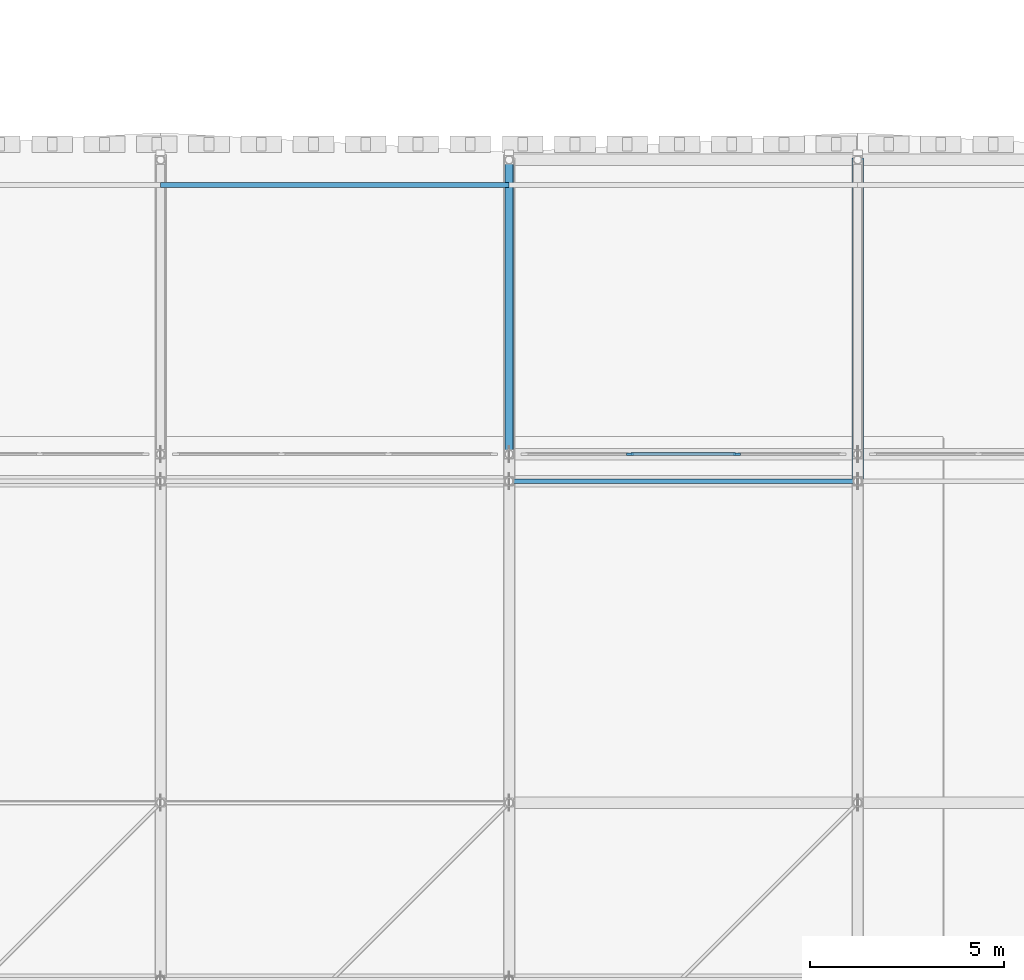
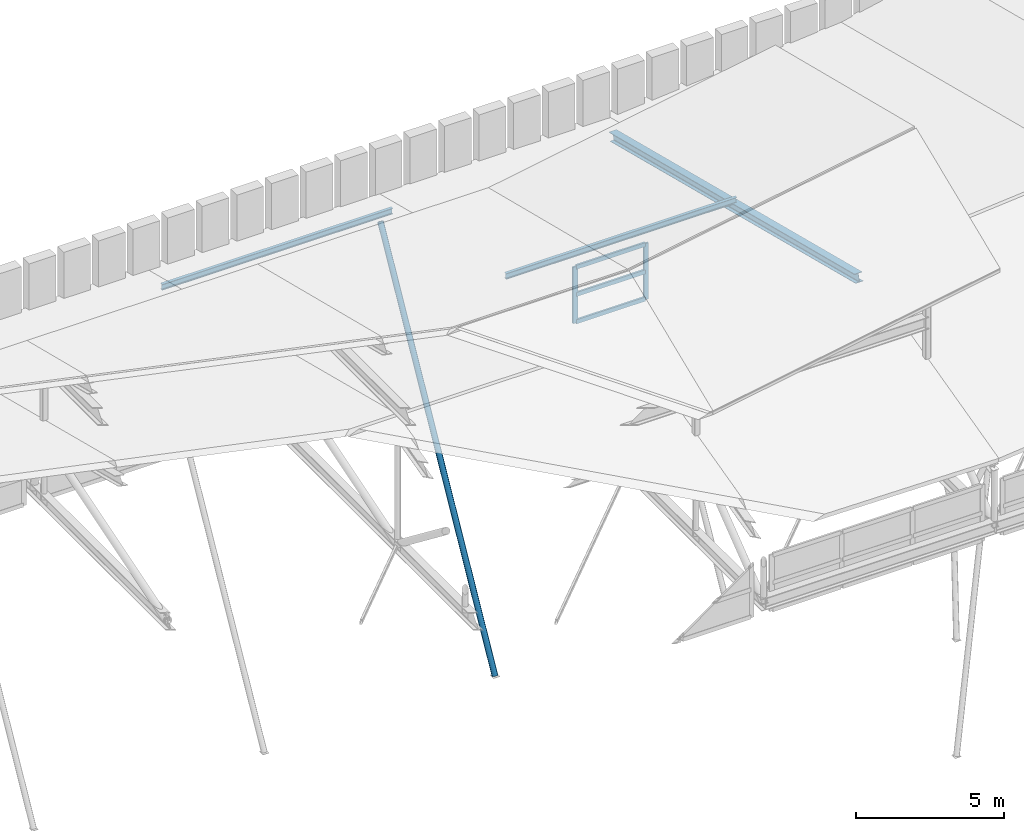
# One storey, part 18 of 42: 9 members, 1 element without a shape of its own.
"""IFC4 building model written with IfcOpenShell, lengths in metres."""

from ifc_helpers import new_model, si_unit, direction, frame, origin, origin_2d, place, context, subcontext, project, spatial, rectangle, hollow_circle, i_section, extrude, material, material_profile, profile_set, type_object, element, aggregate, save


model = new_model("IFC4")

# Units and contexts
model_context = context("Model", 3, precision=1e-05, world=origin(), true_north=direction((0.0, 1.0)))
body_context = subcontext(model_context, "Body", "Model", "MODEL_VIEW")
ifc_project = project(units=[si_unit("LENGTHUNIT", "METRE"), si_unit("AREAUNIT", "SQUARE_METRE"), si_unit("VOLUMEUNIT", "CUBIC_METRE"), si_unit("PLANEANGLEUNIT", "RADIAN"), si_unit("MASSUNIT", "GRAM", prefix="KILO")], contexts=[model_context])

# Site, building, storey
site_placement = place(None, origin())
site = spatial("IfcSite", under=ifc_project, at=site_placement, CompositionType="ELEMENT")
building_placement = place(site_placement, origin())
building = spatial("IfcBuilding", under=site, at=building_placement, Name="Bozkorgan Art Gallery", CompositionType="ELEMENT")
storey_placement = place(building_placement, frame((0.0, 0.0, 28.800048828125)))
storey = spatial("IfcBuildingStorey", under=building, at=storey_placement, Name="RF", CompositionType="ELEMENT", Elevation=28.800048828125)

# Curtain wall, members
ifc_material_1 = material(Name="Anodised Bronze Aluminium", Category="aluminium")
curtain_wall_type = type_object("IfcCurtainWallType", Name="CW-CW-28", PredefinedType="NOTDEFINED", material=ifc_material_1)
curtain_wall_placement = place(storey_placement, origin())
curtain_wall = element("IfcCurtainWall", 1, at=curtain_wall_placement, inside=storey, type_object=curtain_wall_type, Name="RF unitised curtain wall CW-RF-V1-N-47", PredefinedType="NOTDEFINED")
ifc_material_profile_1 = material_profile(ifc_material_1, rectangle(XDim=0.06494140625, YDim=0.179931640625, at=origin_2d()), Name="ALU MULLION 65x180")
ifc_profile_set_1 = profile_set([ifc_material_profile_1], Name="Anodised Bronze Aluminium")
member_type_1 = type_object("IfcMemberType", Name="CWM-01", PredefinedType="MULLION", material=ifc_profile_set_1)
member_1_placement = place(storey_placement, frame((50.1201171875, 20.0, -0.324951171875), z_axis=(0.0, 0.0, 1.0), x_axis=(0.0, 1.0, 0.0)))
member_1 = element("IfcMember", 2, at=member_1_placement, type_object=member_type_1, Name="CW-28 mullion 2", PredefinedType="MULLION", context=body_context, shape_type="SweptSolid", body=[
    extrude(rectangle(XDim=0.06494140625, YDim=0.179931640625, at=origin_2d()), origin(), (0.0, 0.0, 1.0), 2.324951171875),
])
member_2_placement = place(storey_placement, frame((52.8798828125, 20.0, -0.324951171875), z_axis=(0.0, 0.0, 1.0), x_axis=(0.0, 1.0, 0.0)))
member_2 = element("IfcMember", 3, at=member_2_placement, type_object=member_type_1, Name="CW-28 mullion 3", PredefinedType="MULLION", context=body_context, shape_type="SweptSolid", body=[
    extrude(rectangle(XDim=0.06494140625, YDim=0.179931640625, at=origin_2d()), origin(), (0.0, 0.0, 1.0), 2.324951171875),
])
ifc_material_profile_2 = material_profile(ifc_material_1, rectangle(XDim=0.074951171875, YDim=0.169921875, at=origin_2d()), Name="ALU TRANSOM 75x170")
ifc_profile_set_2 = profile_set([ifc_material_profile_2], Name="Anodised Bronze Aluminium")
member_type_2 = type_object("IfcMemberType", Name="CWT-02", PredefinedType="USERDEFINED", material=ifc_profile_set_2)
member_3_placement = place(storey_placement, frame((50.152587890625, 20.0, -0.28759765625), z_axis=(1.0, 0.0, 0.0), x_axis=(0.0, 1.0, 0.0)))
member_3 = element("IfcMember", 4, at=member_3_placement, type_object=member_type_2, Name="CW-28 transom 2.1", ObjectType="TRANSOM", PredefinedType="USERDEFINED", context=body_context, shape_type="SweptSolid", body=[
    extrude(rectangle(XDim=0.074951171875, YDim=0.169921875, at=origin_2d()), origin(), (0.0, 0.0, 1.0), 2.69482421875),
])
member_4_placement = place(storey_placement, frame((50.152587890625, 20.0, 0.837890625), z_axis=(1.0, 0.0, 0.0), x_axis=(0.0, 1.0, 0.0)))
member_4 = element("IfcMember", 5, at=member_4_placement, type_object=member_type_2, Name="CW-28 transom 2.2", ObjectType="TRANSOM", PredefinedType="USERDEFINED", context=body_context, shape_type="SweptSolid", body=[
    extrude(rectangle(XDim=0.074951171875, YDim=0.169921875, at=origin_2d()), origin(), (0.0, 0.0, 1.0), 2.69482421875),
])
member_5_placement = place(storey_placement, frame((50.152587890625, 20.0, 1.96240234375), z_axis=(1.0, 0.0, 0.0), x_axis=(0.0, 1.0, 0.0)))
member_5 = element("IfcMember", 6, at=member_5_placement, type_object=member_type_2, Name="CW-28 transom 2.3", ObjectType="TRANSOM", PredefinedType="USERDEFINED", context=body_context, shape_type="SweptSolid", body=[
    extrude(rectangle(XDim=0.074951171875, YDim=0.169921875, at=origin_2d()), origin(), (0.0, 0.0, 1.0), 2.69482421875),
])
aggregate(curtain_wall, [member_1, member_2, member_3, member_4, member_5])

# Members
ifc_material_2 = material(Name="Steel S355J2", Category="steel")
ifc_material_profile_3 = material_profile(ifc_material_2, hollow_circle(Radius=0.109619140625, WallThickness=0.010009765625, at=origin_2d()), Name="CHS 219.1x10")
ifc_profile_set_3 = profile_set([ifc_material_profile_3], Name="Steel S355J2")
member_type_3 = type_object("IfcMemberType", Name="MEMBER-ES-44", PredefinedType="BRACE", material=ifc_profile_set_3)
member_6_placement = place(storey_placement, frame((47.0, 20.0, -13.800048828125), z_axis=(0.0, 0.48251516305, 0.875887616893), x_axis=(-1.0, 0.0, 0.0)))
element("IfcMember", 7, at=member_6_placement, inside=storey, type_object=member_type_3, Name="ROOF-V1-MAIN north swept-eave diagonal tree-strut 6", PredefinedType="BRACE", context=body_context, shape_type="SweptSolid", body=[
    extrude(hollow_circle(Radius=0.109619140625, WallThickness=0.010009765625, at=origin_2d()), origin(), (0.0, 0.0, 1.0), 16.041015625),
])
ifc_material_profile_4 = material_profile(ifc_material_2, i_section(OverallWidth=0.1201171875, OverallDepth=0.239990234375, WebThickness=0.006103515625, FlangeThickness=0.009765625, FilletRadius=0.014892578125, at=origin_2d()), Name="IPE 240")
ifc_profile_set_4 = profile_set([ifc_material_profile_4], Name="Steel S355J2")
member_type_4 = type_object("IfcMemberType", Name="MEMBER-PR-34", PredefinedType="PURLIN", material=ifc_profile_set_4)
for number, where, z_axis, x_axis, name in (
    (8, (38.0, 26.949951171875, 1.18603515625), (1.0, 0.0, 0.0), (0.0, 1.0, 0.0), "ROOF-V1-MAIN north eave purlin 5"),
    (9, (47.0, 19.300048828125, 3.1220703125), (1.0, 0.0, 0.0), (0.0, 1.0, 0.0), "ROOF-V1-MAIN roof purlin 6N"),
):
    element("IfcMember", number, at=place(storey_placement, frame(where, z_axis=z_axis, x_axis=x_axis)), inside=storey, type_object=member_type_4, Name=name, PredefinedType="PURLIN", context=body_context, shape_type="SweptSolid", body=[
        extrude(i_section(OverallWidth=0.1201171875, OverallDepth=0.239990234375, WebThickness=0.006103515625, FlangeThickness=0.009765625, FilletRadius=0.014892578125, at=origin_2d()), origin(), (0.0, 0.0, 1.0), 9.0),
    ])
ifc_material_profile_5 = material_profile(ifc_material_2, i_section(OverallWidth=0.300048828125, OverallDepth=0.35009765625, WebThickness=0.010009765625, FlangeThickness=0.017578125, FilletRadius=0.027099609375, at=origin_2d()), Name="HEA 360")
ifc_profile_set_5 = profile_set([ifc_material_profile_5], Name="Steel S355J2")
member_type_5 = type_object("IfcMemberType", Name="MEMBER-TC-31", PredefinedType="CHORD", material=ifc_profile_set_5)
member_7_placement = place(storey_placement, frame((56.0, 11.0, 4.92724609375), z_axis=(0.0, 0.969442389879, -0.245319083452), x_axis=(-1.0, 0.0, 0.0)))
element("IfcMember", 10, at=member_7_placement, inside=storey, type_object=member_type_5, Name="ROOF-V1-MAIN roof truss 7 north top chord", PredefinedType="CHORD", context=body_context, shape_type="SweptSolid", body=[
    extrude(i_section(OverallWidth=0.300048828125, OverallDepth=0.35009765625, WebThickness=0.010009765625, FlangeThickness=0.017578125, FilletRadius=0.027099609375, at=origin_2d()), origin(), (0.0, 0.0, 1.0), 17.123291015625),
])

save(model, "model.ifc")
